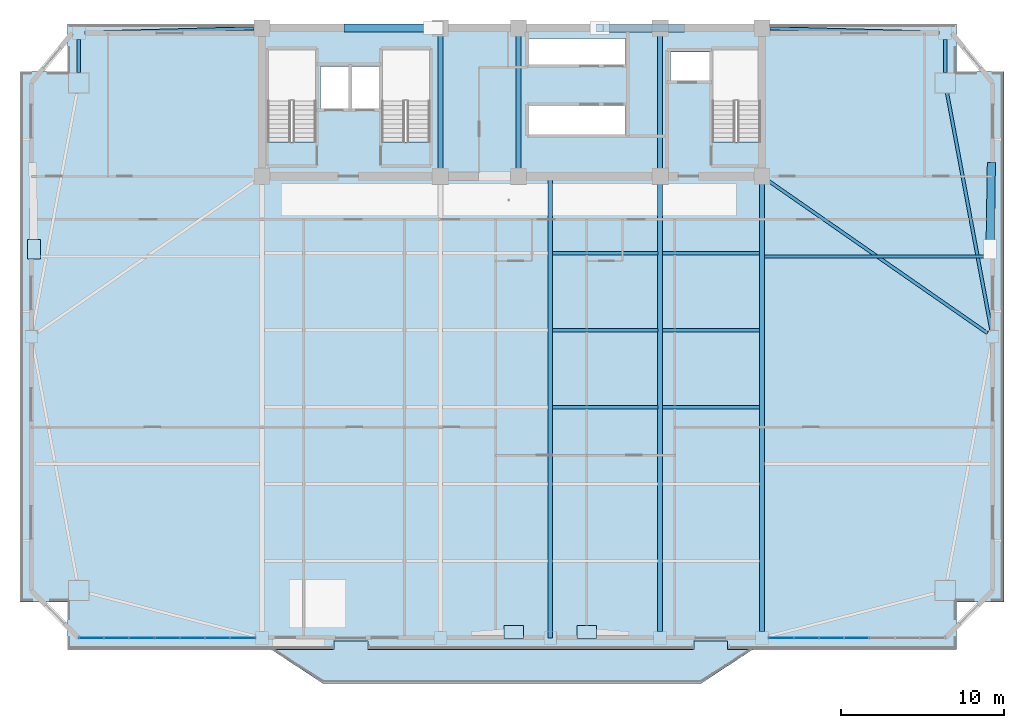
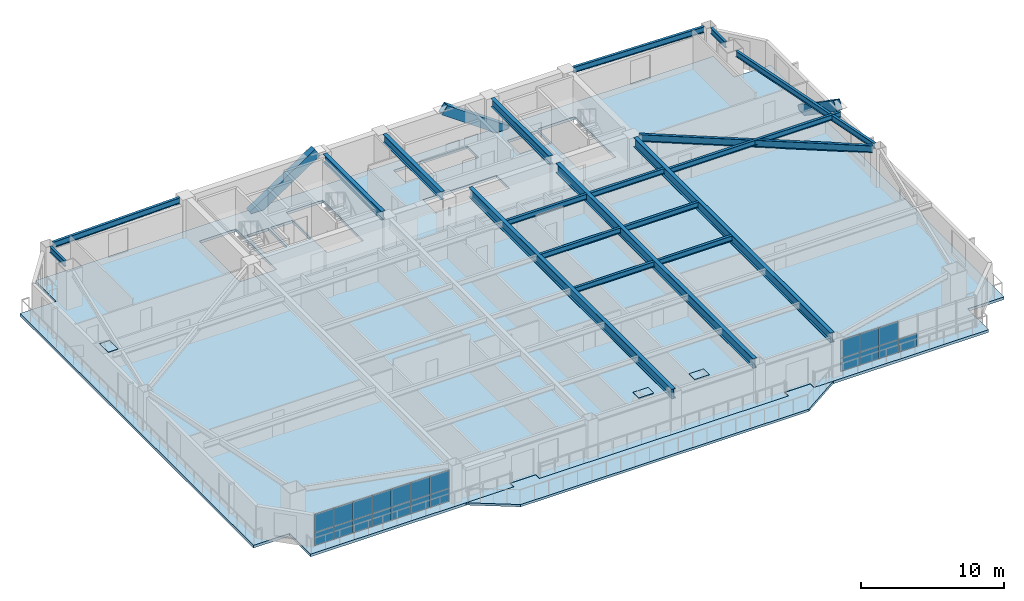
# One storey, part 6 of 16: 24 plates, 19 beams, 3 members, 2 slabs, 2 elements without a shape of their own.
"""IFC4 building model written with IfcOpenShell, lengths in metres."""

from ifc_helpers import new_model, si_unit, direction, frame, origin, origin_2d, place, context, subcontext, project, spatial, polyline, rectangle, hollow_rectangle, i_section, outline, extrude, source, transform, mapped, material, layer, layer_set, material_profile, profile_set, type_object, element, aggregate, save


model = new_model("IFC4")

# Units and contexts
model_context = context("Model", 3, precision=1e-05, world=origin(), true_north=direction((0.0, 1.0)))
body_context = subcontext(model_context, "Body", "Model", "MODEL_VIEW")
ifc_project = project(units=[si_unit("LENGTHUNIT", "METRE"), si_unit("AREAUNIT", "SQUARE_METRE"), si_unit("VOLUMEUNIT", "CUBIC_METRE"), si_unit("PLANEANGLEUNIT", "RADIAN"), si_unit("MASSUNIT", "GRAM", prefix="KILO")], contexts=[model_context])

# Site, building, storey
site_placement = place(None, origin())
site = spatial("IfcSite", under=ifc_project, at=site_placement, CompositionType="ELEMENT")
building_placement = place(site_placement, origin())
building = spatial("IfcBuilding", under=site, at=building_placement, Name="Giltprow Tower", CompositionType="ELEMENT")
storey_placement = place(building_placement, frame((0.0, 0.0, 163.199951171875)))
storey = spatial("IfcBuildingStorey", under=building, at=storey_placement, Name="L40", CompositionType="ELEMENT", Elevation=163.199951171875)

# Beams
ifc_material_1 = material(Name="Structural steel Q355B", Category="steel")
ifc_material_profile_1 = material_profile(ifc_material_1, i_section(OverallWidth=0.199951171875, OverallDepth=0.449951171875, WebThickness=0.009033203125, FlangeThickness=0.013916015625, at=origin_2d()), Name="HN 450x200x9x14")
ifc_profile_set_1 = profile_set([ifc_material_profile_1], Name="Structural steel Q355B")
beam_type_1 = type_object("IfcBeamType", Name="BM-JOIST-HN450", PredefinedType="JOIST", material=ifc_profile_set_1)
shared_shape_1 = source(origin(), body_context, "Body", "SweptSolid", [
    extrude(i_section(OverallWidth=0.199951171875, OverallDepth=0.449951171875, WebThickness=0.009033203125, FlangeThickness=0.013916015625, at=origin_2d()), origin(), (0.0, 0.0, 1.0), 6.4599609375),
])
for number, where, z_axis, x_axis, name in (
    (1, (37.695068359375, 23.27392578125, 3.045166015625), (1.0, 0.0, 0.0), (0.0, 1.0, 0.0), "L40 Composite Floor Joist 3-3"),
    (2, (37.695068359375, 27.9990234375, 3.045166015625), (1.0, 0.0, 0.0), (0.0, 1.0, 0.0), "L40 Composite Floor Joist 4-3"),
    (3, (37.695068359375, 32.72509765625, 3.045166015625), (1.0, 0.0, 0.0), (0.0, 1.0, 0.0), "L40 Composite Floor Joist 5-3"),
):
    element("IfcBeam", number, at=place(storey_placement, frame(where, z_axis=z_axis, x_axis=x_axis)), inside=storey, type_object=beam_type_1, Name=name, PredefinedType="JOIST", context=body_context, shape_type="MappedRepresentation", body=[
        mapped(shared_shape_1, transform((0.0, 0.0, 0.0), x_axis=(1.0, 0.0, 0.0), y_axis=(0.0, 1.0, 0.0), z_axis=(0.0, 0.0, 1.0), scale=1.0)),
    ])
shared_shape_2 = source(origin(), body_context, "Body", "SweptSolid", [
    extrude(i_section(OverallWidth=0.199951171875, OverallDepth=0.449951171875, WebThickness=0.009033203125, FlangeThickness=0.013916015625, at=origin_2d()), origin(), (0.0, 0.0, 1.0), 5.9599609375),
])
for number, where, z_axis, x_axis, name in (
    (4, (44.445068359375, 23.27392578125, 3.045166015625), (1.0, 0.0, 0.0), (0.0, 1.0, 0.0), "L40 Composite Floor Joist 3-4"),
    (5, (44.445068359375, 27.9990234375, 3.045166015625), (1.0, 0.0, 0.0), (0.0, 1.0, 0.0), "L40 Composite Floor Joist 4-4"),
    (6, (44.445068359375, 32.72509765625, 3.045166015625), (1.0, 0.0, 0.0), (0.0, 1.0, 0.0), "L40 Composite Floor Joist 5-4"),
):
    element("IfcBeam", number, at=place(storey_placement, frame(where, z_axis=z_axis, x_axis=x_axis)), inside=storey, type_object=beam_type_1, Name=name, PredefinedType="JOIST", context=body_context, shape_type="MappedRepresentation", body=[
        mapped(shared_shape_2, transform((0.0, 0.0, 0.0), x_axis=(1.0, 0.0, 0.0), y_axis=(0.0, 1.0, 0.0), z_axis=(0.0, 0.0, 1.0), scale=1.0)),
    ])
ifc_material_profile_2 = material_profile(ifc_material_1, i_section(OverallWidth=0.300048828125, OverallDepth=0.699951171875, WebThickness=0.012939453125, FlangeThickness=0.02392578125, at=origin_2d()), Name="HN 700x300x13x24")
ifc_profile_set_2 = profile_set([ifc_material_profile_2], Name="Structural steel Q355B")
beam_type_2 = type_object("IfcBeamType", Name="BM-GIRD-HN700", PredefinedType="BEAM", material=ifc_profile_set_2)
shared_shape_3 = source(origin(), body_context, "Body", "SweptSolid", [
    extrude(i_section(OverallWidth=0.300048828125, OverallDepth=0.699951171875, WebThickness=0.012939453125, FlangeThickness=0.02392578125, at=origin_2d()), origin(), (0.0, 0.0, 1.0), 8.1298828125),
])
for number, where, z_axis, x_axis, name in (
    (7, (30.800048828125, 37.93505859375, 2.920166015625), (0.0, 1.0, 0.0), (-1.0, 0.0, 0.0), "L40 Core Tie Girder M1"),
    (8, (35.60009765625, 37.93505859375, 2.920166015625), (0.0, 1.0, 0.0), (-1.0, 0.0, 0.0), "L40 Core Tie Girder M2"),
    (9, (44.300048828125, 37.93505859375, 2.920166015625), (0.0, 1.0, 0.0), (-1.0, 0.0, 0.0), "L40 Core Tie Girder M3"),
):
    element("IfcBeam", number, at=place(storey_placement, frame(where, z_axis=z_axis, x_axis=x_axis)), inside=storey, type_object=beam_type_2, Name=name, PredefinedType="BEAM", context=body_context, shape_type="MappedRepresentation", body=[
        mapped(shared_shape_3, transform((0.0, 0.0, 0.0), x_axis=(1.0, 0.0, 0.0), y_axis=(0.0, 1.0, 0.0), z_axis=(0.0, 0.0, 1.0), scale=1.0)),
    ])
ifc_material_profile_3 = material_profile(ifc_material_1, i_section(OverallWidth=0.199951171875, OverallDepth=0.5, WebThickness=0.010009765625, FlangeThickness=0.01611328125, at=origin_2d()), Name="HN 500x200x10x16")
ifc_profile_set_3 = profile_set([ifc_material_profile_3], Name="Structural steel Q355B")
beam_type_3 = type_object("IfcBeamType", Name="BM-SPAN-HN500", PredefinedType="SPANDREL", material=ifc_profile_set_3)
shared_shape_4 = source(origin(), body_context, "Body", "SweptSolid", [
    extrude(i_section(OverallWidth=0.199951171875, OverallDepth=0.5, WebThickness=0.010009765625, FlangeThickness=0.01611328125, at=origin_2d()), origin(), (0.0, 0.0, 1.0), 14.83837890625),
])
beam_1_placement = place(storey_placement, frame((64.64501953125, 27.97705078125, 3.02001953125), z_axis=(-0.183652712761, 0.982991190752, 0.0), x_axis=(-0.982991190752, -0.183652712761, 0.0)))
element("IfcBeam", 10, at=beam_1_placement, inside=storey, type_object=beam_type_3, Name="L40 Perimeter Spandrel Beam E_MID-MC_NE", PredefinedType="SPANDREL", context=body_context, shape_type="MappedRepresentation", body=[
    mapped(shared_shape_4, transform((0.0, 0.0, 0.0), x_axis=(1.0, 0.0, 0.0), y_axis=(0.0, 1.0, 0.0), z_axis=(0.0, 0.0, 1.0), scale=1.0)),
])
shared_shape_5 = source(origin(), body_context, "Body", "SweptSolid", [
    extrude(i_section(OverallWidth=0.199951171875, OverallDepth=0.5, WebThickness=0.010009765625, FlangeThickness=0.01611328125, at=origin_2d()), origin(), (0.0, 0.0, 1.0), 2.04296875),
])
for number, where, z_axis, x_axis, name in (
    (11, (61.802978515625, 43.822021484375, 3.02001953125), (0.0, 1.0, 0.0), (-1.0, 0.0, 0.0), "L40 Perimeter Spandrel Beam MC_NE-N_E"),
    (12, (8.596923828125, 45.864990234375, 3.02001953125), (0.0, -1.0, 0.0), (1.0, 0.0, 0.0), "L40 Perimeter Spandrel Beam N_W-MC_NW"),
):
    element("IfcBeam", number, at=place(storey_placement, frame(where, z_axis=z_axis, x_axis=x_axis)), inside=storey, type_object=beam_type_3, Name=name, PredefinedType="SPANDREL", context=body_context, shape_type="MappedRepresentation", body=[
        mapped(shared_shape_5, transform((0.0, 0.0, 0.0), x_axis=(1.0, 0.0, 0.0), y_axis=(0.0, 1.0, 0.0), z_axis=(0.0, 0.0, 1.0), scale=1.0)),
    ])
shared_shape_6 = source(origin(), body_context, "Body", "SweptSolid", [
    extrude(i_section(OverallWidth=0.199951171875, OverallDepth=0.5, WebThickness=0.010009765625, FlangeThickness=0.01611328125, at=origin_2d()), origin(), (0.0, 0.0, 1.0), 10.38671875),
])
for number, where, z_axis, x_axis, name in (
    (13, (8.98193359375, 46.260009765625, 3.02001953125), (0.999644074198, 0.02667817311, 0.0), (-0.02667817311, 0.999644074198, 0.0), "L40 North Wing Spandrel W"),
    (14, (51.034912109375, 46.537109375, 3.02001953125), (0.999644074198, -0.02667817311, 0.0), (0.02667817311, 0.999644074198, 0.0), "L40 North Wing Spandrel E"),
):
    element("IfcBeam", number, at=place(storey_placement, frame(where, z_axis=z_axis, x_axis=x_axis)), inside=storey, type_object=beam_type_3, Name=name, PredefinedType="SPANDREL", context=body_context, shape_type="MappedRepresentation", body=[
        mapped(shared_shape_6, transform((0.0, 0.0, 0.0), x_axis=(1.0, 0.0, 0.0), y_axis=(0.0, 1.0, 0.0), z_axis=(0.0, 0.0, 1.0), scale=1.0)),
    ])
ifc_material_profile_4 = material_profile(ifc_material_1, i_section(OverallWidth=0.300048828125, OverallDepth=0.800048828125, WebThickness=0.013916015625, FlangeThickness=0.02587890625, at=origin_2d()), Name="HN 800x300x14x26")
ifc_profile_set_4 = profile_set([ifc_material_profile_4], Name="Structural steel Q355B")
beam_type_4 = type_object("IfcBeamType", Name="BM-GIRD-HN800", PredefinedType="BEAM", material=ifc_profile_set_4)
shared_shape_7 = source(origin(), body_context, "Body", "SweptSolid", [
    extrude(i_section(OverallWidth=0.300048828125, OverallDepth=0.800048828125, WebThickness=0.013916015625, FlangeThickness=0.02587890625, at=origin_2d()), origin(), (0.0, 0.0, 1.0), 27.482177734375),
])
for number, where, z_axis, x_axis, name in (
    (15, (44.300048828125, 9.48291015625, 2.8701171875), (0.0, 1.0, 0.0), (-1.0, 0.0, 0.0), "L40 Primary Lease Girder S3"),
    (16, (50.550048828125, 9.48291015625, 2.8701171875), (0.0, 1.0, 0.0), (-1.0, 0.0, 0.0), "L40 Primary Lease Girder S4"),
):
    element("IfcBeam", number, at=place(storey_placement, frame(where, z_axis=z_axis, x_axis=x_axis)), inside=storey, type_object=beam_type_4, Name=name, PredefinedType="BEAM", context=body_context, shape_type="MappedRepresentation", body=[
        mapped(shared_shape_7, transform((0.0, 0.0, 0.0), x_axis=(1.0, 0.0, 0.0), y_axis=(0.0, 1.0, 0.0), z_axis=(0.0, 0.0, 1.0), scale=1.0)),
    ])
shared_shape_8 = source(origin(), body_context, "Body", "SweptSolid", [
    extrude(i_section(OverallWidth=0.300048828125, OverallDepth=0.800048828125, WebThickness=0.013916015625, FlangeThickness=0.02587890625, at=origin_2d()), origin(), (0.0, 0.0, 1.0), 28.35205078125),
])
beam_2_placement = place(storey_placement, frame((37.550048828125, 9.097900390625, 2.8701171875), z_axis=(0.0, 1.0, 0.0), x_axis=(-1.0, 0.0, 0.0)))
element("IfcBeam", 17, at=beam_2_placement, inside=storey, type_object=beam_type_4, Name="L40 Central Lease Girder SMID", PredefinedType="BEAM", context=body_context, shape_type="MappedRepresentation", body=[
    mapped(shared_shape_8, transform((0.0, 0.0, 0.0), x_axis=(1.0, 0.0, 0.0), y_axis=(0.0, 1.0, 0.0), z_axis=(0.0, 0.0, 1.0), scale=1.0)),
])
ifc_material_profile_5 = material_profile(ifc_material_1, i_section(OverallWidth=0.199951171875, OverallDepth=0.60009765625, WebThickness=0.010986328125, FlangeThickness=0.01708984375, at=origin_2d()), Name="HN 600x200x11x17")
ifc_profile_set_5 = profile_set([ifc_material_profile_5], Name="Structural steel Q355B")
beam_type_5 = type_object("IfcBeamType", Name="BM-GIRD-HN600", PredefinedType="BEAM", material=ifc_profile_set_5)
shared_shape_9 = source(origin(), body_context, "Body", "SweptSolid", [
    extrude(i_section(OverallWidth=0.199951171875, OverallDepth=0.60009765625, WebThickness=0.010986328125, FlangeThickness=0.01708984375, at=origin_2d()), origin(), (0.0, 0.0, 1.0), 16.384521484375),
])
beam_3_placement = place(storey_placement, frame((64.39990234375, 27.819091796875, 2.969970703125), z_axis=(-0.821015129257, 0.570906435005, 0.0), x_axis=(-0.570906435005, -0.821015129257, 0.0)))
element("IfcBeam", 18, at=beam_3_placement, inside=storey, type_object=beam_type_5, Name="L40 East Wing Primary Girder", PredefinedType="BEAM", context=body_context, shape_type="MappedRepresentation", body=[
    mapped(shared_shape_9, transform((0.0, 0.0, 0.0), x_axis=(1.0, 0.0, 0.0), y_axis=(0.0, 1.0, 0.0), z_axis=(0.0, 0.0, 1.0), scale=1.0)),
])
shared_shape_10 = source(origin(), body_context, "Body", "SweptSolid", [
    extrude(i_section(OverallWidth=0.199951171875, OverallDepth=0.449951171875, WebThickness=0.009033203125, FlangeThickness=0.013916015625, at=origin_2d()), origin(), (0.0, 0.0, 1.0), 13.801025390625),
])
beam_4_placement = place(storey_placement, frame((50.695068359375, 32.52490234375, 3.045166015625), z_axis=(1.0, 0.0, 0.0), x_axis=(0.0, 1.0, 0.0)))
element("IfcBeam", 19, at=beam_4_placement, inside=storey, type_object=beam_type_1, Name="L40 East Wing Floor Joist 2", PredefinedType="JOIST", context=body_context, shape_type="MappedRepresentation", body=[
    mapped(shared_shape_10, transform((0.0, 0.0, 0.0), x_axis=(1.0, 0.0, 0.0), y_axis=(0.0, 1.0, 0.0), z_axis=(0.0, 0.0, 1.0), scale=1.0)),
])

# Members
ifc_material_2 = material(Name="Structural steel Q420GJC", Category="steel")
ifc_material_profile_6 = material_profile(ifc_material_2, hollow_rectangle(XDim=0.5, YDim=0.800048828125, WallThickness=0.035888671875, at=origin_2d()), Name="RHS 800x500x36")
ifc_profile_set_6 = profile_set([ifc_material_profile_6], Name="Structural steel Q420GJC")
member_type = type_object("IfcMemberType", Name="MBR-MEGA-RHS800", PredefinedType="BRACE", material=ifc_profile_set_6)
shared_shape_11 = source(origin(), body_context, "Body", "SweptSolid", [
    extrude(hollow_rectangle(XDim=0.5, YDim=0.800048828125, WallThickness=0.035888671875, at=origin_2d()), origin(), (0.0, 0.0, 1.0), 6.309814453125),
])
member_1_placement = place(storey_placement, frame((25.10009765625, 46.550048828125, -0.139892578125), z_axis=(0.832050294338, 0.0, 0.554700196225), x_axis=(0.0, 1.0, 0.0)))
element("IfcMember", 20, at=member_1_placement, inside=storey, type_object=member_type, Name="L40 Chevron Mega-Brace N-L", PredefinedType="BRACE", context=body_context, shape_type="MappedRepresentation", body=[
    mapped(shared_shape_11, transform((0.0, 0.0, 0.0), x_axis=(1.0, 0.0, 0.0), y_axis=(0.0, 1.0, 0.0), z_axis=(0.0, 0.0, 1.0), scale=1.0)),
])
shared_shape_12 = source(origin(), body_context, "Body", "SweptSolid", [
    extrude(hollow_rectangle(XDim=0.5, YDim=0.800048828125, WallThickness=0.035888671875, at=origin_2d()), origin(), (0.0, 0.0, 1.0), 6.090087890625),
])
member_2_placement = place(storey_placement, frame((45.56689453125, 46.550048828125, -0.139892578125), z_axis=(-0.81836087487, 0.0, 0.574704688064), x_axis=(0.0, -1.0, 0.0)))
element("IfcMember", 21, at=member_2_placement, inside=storey, type_object=member_type, Name="L40 Chevron Mega-Brace N-R", PredefinedType="BRACE", context=body_context, shape_type="MappedRepresentation", body=[
    mapped(shared_shape_12, transform((0.0, 0.0, 0.0), x_axis=(1.0, 0.0, 0.0), y_axis=(0.0, 1.0, 0.0), z_axis=(0.0, 0.0, 1.0), scale=1.0)),
])
shared_shape_13 = source(origin(), body_context, "Body", "SweptSolid", [
    extrude(hollow_rectangle(XDim=0.5, YDim=0.800048828125, WallThickness=0.035888671875, at=origin_2d()), origin(), (0.0, 0.0, 1.0), 6.192626953125),
])
member_3_placement = place(storey_placement, frame((64.637939453125, 38.0791015625, 0.0), z_axis=(-0.012733944555, -0.82486786975, 0.565182133573), x_axis=(0.999880862215, -0.015435717559, 0.0)))
element("IfcMember", 22, at=member_3_placement, inside=storey, type_object=member_type, Name="L40 Chevron Mega-Brace E-R", PredefinedType="BRACE", context=body_context, shape_type="MappedRepresentation", body=[
    mapped(shared_shape_13, transform((0.0, 0.0, 0.0), x_axis=(1.0, 0.0, 0.0), y_axis=(0.0, 1.0, 0.0), z_axis=(0.0, 0.0, 1.0), scale=1.0)),
])

# Slabs
ifc_material_3 = material(Name="Concrete C40", Category="concrete")
ifc_layer_1 = layer(ifc_material_3, 0.199951171875, Name="Concrete C40")
ifc_layer_set_1 = layer_set([ifc_layer_1], Name="Concrete C40")
slab_type_1 = type_object("IfcSlabType", Name="SLB-BALC-BRONZE-200", PredefinedType="FLOOR", material=ifc_layer_set_1)
slab_1_placement = place(storey_placement, frame((0.0, 0.0, -0.199951171875)))
element("IfcSlab", 23, at=slab_1_placement, inside=storey, type_object=slab_type_1, Name="L40 Bronze Prow Waterfront Balcony Slab", PredefinedType="FLOOR", context=body_context, shape_type="SweptSolid", body=[
    extrude(outline(polyline([(50.0, 8.39794921875), (46.800048828125, 6.298095703125), (23.60009765625, 6.298095703125), (20.39990234375, 8.39794921875), (24.280029296875, 8.39794921875), (24.280029296875, 8.89794921875), (26.320068359375, 8.89794921875), (26.320068359375, 8.39794921875), (46.3798828125, 8.39794921875), (46.3798828125, 8.89794921875), (48.419921875, 8.89794921875), (48.419921875, 8.39794921875), (50.0, 8.39794921875)])), origin(), (0.0, 0.0, 1.0), 0.199951171875),
])
ifc_layer_2 = layer(ifc_material_3, 0.22998046875, Name="Concrete C40")
ifc_layer_set_2 = layer_set([ifc_layer_2], Name="Concrete C40")
slab_type_2 = type_object("IfcSlabType", Name="SLB-HTL-230", PredefinedType="FLOOR", material=ifc_layer_set_2)
slab_2_placement = place(storey_placement, frame((0.0, 0.0, -0.22998046875)))
element("IfcSlab", 24, at=slab_2_placement, inside=storey, type_object=slab_type_2, Name="L40 Structural Composite Floor Slab", PredefinedType="FLOOR", context=body_context, shape_type="SweptSolid", body=[
    extrude(outline(polyline([(7.89697265625, 8.39794921875), (7.89697265625, 11.31103515625), (4.98388671875, 11.31103515625), (4.98388671875, 43.886962890625), (7.89697265625, 43.886962890625), (7.89697265625, 46.800048828125), (62.5029296875, 46.800048828125), (62.5029296875, 43.886962890625), (65.416015625, 43.886962890625), (65.416015625, 11.31103515625), (62.5029296875, 11.31103515625), (62.5029296875, 8.39794921875), (48.449951171875, 8.39794921875), (48.449951171875, 8.91796875), (46.35009765625, 8.91796875), (46.35009765625, 8.39794921875), (26.35009765625, 8.39794921875), (26.35009765625, 8.91796875), (24.25, 8.91796875), (24.25, 8.39794921875), (7.89697265625, 8.39794921875)]), holes=[polyline([(42.169921875, 41.800048828125), (36.239990234375, 41.800048828125), (36.239990234375, 40.0), (42.169921875, 40.0), (42.169921875, 41.800048828125)]), polyline([(23.159912109375, 39.570068359375), (23.159912109375, 45.25), (20.199951171875, 45.25), (20.199951171875, 39.570068359375), (23.159912109375, 39.570068359375)]), polyline([(30.159912109375, 39.570068359375), (30.159912109375, 45.25), (27.199951171875, 45.25), (27.199951171875, 39.570068359375), (30.159912109375, 39.570068359375)]), polyline([(50.4599609375, 45.25), (47.5, 45.25), (47.5, 39.570068359375), (50.4599609375, 39.570068359375), (50.4599609375, 45.25)]), polyline([(25.169921875, 44.199951171875), (23.449951171875, 44.199951171875), (23.449951171875, 41.60009765625), (25.169921875, 41.60009765625), (25.169921875, 44.199951171875)]), polyline([(27.10009765625, 44.199951171875), (25.35009765625, 44.199951171875), (25.35009765625, 41.60009765625), (27.10009765625, 41.60009765625), (27.10009765625, 44.199951171875)]), polyline([(47.3798828125, 43.300048828125), (47.3798828125, 45.10009765625), (44.919921875, 45.10009765625), (44.919921875, 43.300048828125), (47.3798828125, 43.300048828125)]), polyline([(42.169921875, 44.300048828125), (42.169921875, 45.919921875), (36.239990234375, 45.919921875), (36.239990234375, 44.300048828125), (42.169921875, 44.300048828125)])]), origin(), (0.0, 0.0, 1.0), 0.22998046875),
])

# Plates
plate_type_1 = type_object("IfcPlateType", Name="PLT-CAP-SEAL", PredefinedType="USERDEFINED", material=ifc_material_2)
shared_shape_14 = source(origin(), body_context, "Body", "SweptSolid", [
    extrude(rectangle(XDim=1.199951171875, YDim=0.800048828125, at=origin_2d()), origin(), (0.0, 0.0, 1.0), 0.034912109375),
])
for number, where, z_axis, x_axis, name in (
    (25, (35.300048828125, 9.449951171875, 3.482421875), (0.0, 0.0, 1.0), (1.0, 0.0, 0.0), "Mega-Brace Node L40-S-LB"),
    (26, (39.800048828125, 9.449951171875, 3.482421875), (0.0, 0.0, 1.0), (1.0, 0.0, 0.0), "Mega-Brace Node L40-S-RB"),
    (27, (5.841064453125, 32.970947265625, 3.482421875), (0.0, 0.0, 1.0), (0.0, 1.0, 0.0), "Mega-Brace Node L40-W-RB"),
):
    element("IfcPlate", number, at=place(storey_placement, frame(where, z_axis=z_axis, x_axis=x_axis)), inside=storey, type_object=plate_type_1, Name=name, ObjectType="SPLICE", PredefinedType="USERDEFINED", context=body_context, shape_type="MappedRepresentation", body=[
        mapped(shared_shape_14, transform((0.0, 0.0, 0.0), x_axis=(1.0, 0.0, 0.0), y_axis=(0.0, 1.0, 0.0), z_axis=(0.0, 0.0, 1.0), scale=1.0)),
    ])

# Curtain wall, plates
ifc_material_4 = material(Name="Anodized bronze", Category="metal")
ifc_layer_3 = layer(ifc_material_4, 0.179931640625, Name="Anodized bronze")
ifc_layer_set_3 = layer_set([ifc_layer_3], Name="Anodized bronze")
curtain_wall_type = type_object("IfcCurtainWallType", Name="CW-HTL-BRONZE", PredefinedType="NOTDEFINED", material=ifc_layer_set_3)
curtain_wall_1_placement = place(storey_placement, origin())
curtain_wall_1 = element("IfcCurtainWall", 28, at=curtain_wall_1_placement, inside=storey, type_object=curtain_wall_type, Name="L40 South Recessed Curtain Wall 1", PredefinedType="NOTDEFINED")
ifc_material_5 = material(Name="Insulated glass", Category="glass")
plate_type_2 = type_object("IfcPlateType", Name="CW-PANEL-IGU-28", PredefinedType="CURTAIN_PANEL", material=ifc_material_5)
shared_shape_15 = source(origin(), body_context, "Body", "SweptSolid", [
    extrude(rectangle(XDim=1.52001953125, YDim=0.028076171875, at=origin_2d()), origin(), (0.0, 0.0, 1.0), 1.0869140625),
])
plate_1_placement = place(storey_placement, frame((9.3720703125, 9.097900390625, 0.0546875), z_axis=(0.0, 0.0, 1.0), x_axis=(1.0, 0.0, 0.0)))
plate_1 = element("IfcPlate", 29, at=plate_1_placement, type_object=plate_type_2, Name="L40 South Recessed Curtain Wall 1 Glazing Panel 1-1", PredefinedType="CURTAIN_PANEL", context=body_context, shape_type="MappedRepresentation", body=[
    mapped(shared_shape_15, transform((0.0, 0.0, 0.0), x_axis=(1.0, 0.0, 0.0), y_axis=(0.0, 1.0, 0.0), z_axis=(0.0, 0.0, 1.0), scale=1.0)),
])
plate_2_placement = place(storey_placement, frame((10.923095703125, 9.097900390625, 0.0546875), z_axis=(0.0, 0.0, 1.0), x_axis=(1.0, 0.0, 0.0)))
plate_2 = element("IfcPlate", 30, at=plate_2_placement, type_object=plate_type_2, Name="L40 South Recessed Curtain Wall 1 Glazing Panel 2-1", PredefinedType="CURTAIN_PANEL", context=body_context, shape_type="MappedRepresentation", body=[
    mapped(shared_shape_15, transform((0.0, 0.0, 0.0), x_axis=(1.0, 0.0, 0.0), y_axis=(0.0, 1.0, 0.0), z_axis=(0.0, 0.0, 1.0), scale=1.0)),
])
plate_3_placement = place(storey_placement, frame((12.472900390625, 9.097900390625, 0.0546875), z_axis=(0.0, 0.0, 1.0), x_axis=(1.0, 0.0, 0.0)))
plate_3 = element("IfcPlate", 31, at=plate_3_placement, type_object=plate_type_2, Name="L40 South Recessed Curtain Wall 1 Glazing Panel 3-1", PredefinedType="CURTAIN_PANEL", context=body_context, shape_type="MappedRepresentation", body=[
    mapped(shared_shape_15, transform((0.0, 0.0, 0.0), x_axis=(1.0, 0.0, 0.0), y_axis=(0.0, 1.0, 0.0), z_axis=(0.0, 0.0, 1.0), scale=1.0)),
])
plate_4_placement = place(storey_placement, frame((14.02294921875, 9.097900390625, 0.0546875), z_axis=(0.0, 0.0, 1.0), x_axis=(1.0, 0.0, 0.0)))
plate_4 = element("IfcPlate", 32, at=plate_4_placement, type_object=plate_type_2, Name="L40 South Recessed Curtain Wall 1 Glazing Panel 4-1", PredefinedType="CURTAIN_PANEL", context=body_context, shape_type="MappedRepresentation", body=[
    mapped(shared_shape_15, transform((0.0, 0.0, 0.0), x_axis=(1.0, 0.0, 0.0), y_axis=(0.0, 1.0, 0.0), z_axis=(0.0, 0.0, 1.0), scale=1.0)),
])
plate_5_placement = place(storey_placement, frame((15.573974609375, 9.097900390625, 0.0546875), z_axis=(0.0, 0.0, 1.0), x_axis=(1.0, 0.0, 0.0)))
plate_5 = element("IfcPlate", 33, at=plate_5_placement, type_object=plate_type_2, Name="L40 South Recessed Curtain Wall 1 Glazing Panel 5-1", PredefinedType="CURTAIN_PANEL", context=body_context, shape_type="MappedRepresentation", body=[
    mapped(shared_shape_15, transform((0.0, 0.0, 0.0), x_axis=(1.0, 0.0, 0.0), y_axis=(0.0, 1.0, 0.0), z_axis=(0.0, 0.0, 1.0), scale=1.0)),
])
plate_6_placement = place(storey_placement, frame((17.1240234375, 9.097900390625, 0.0546875), z_axis=(0.0, 0.0, 1.0), x_axis=(1.0, 0.0, 0.0)))
plate_6 = element("IfcPlate", 34, at=plate_6_placement, type_object=plate_type_2, Name="L40 South Recessed Curtain Wall 1 Glazing Panel 6-1", PredefinedType="CURTAIN_PANEL", context=body_context, shape_type="MappedRepresentation", body=[
    mapped(shared_shape_15, transform((0.0, 0.0, 0.0), x_axis=(1.0, 0.0, 0.0), y_axis=(0.0, 1.0, 0.0), z_axis=(0.0, 0.0, 1.0), scale=1.0)),
])
plate_7_placement = place(storey_placement, frame((18.675048828125, 9.097900390625, 0.0546875), z_axis=(0.0, 0.0, 1.0), x_axis=(1.0, 0.0, 0.0)))
plate_7 = element("IfcPlate", 35, at=plate_7_placement, type_object=plate_type_2, Name="L40 South Recessed Curtain Wall 1 Glazing Panel 7-1", PredefinedType="CURTAIN_PANEL", context=body_context, shape_type="MappedRepresentation", body=[
    mapped(shared_shape_15, transform((0.0, 0.0, 0.0), x_axis=(1.0, 0.0, 0.0), y_axis=(0.0, 1.0, 0.0), z_axis=(0.0, 0.0, 1.0), scale=1.0)),
])

curtain_wall_2_placement = place(storey_placement, origin())
curtain_wall_2 = element("IfcCurtainWall", 36, at=curtain_wall_2_placement, inside=storey, type_object=curtain_wall_type, Name="L40 South Recessed Curtain Wall 6", PredefinedType="NOTDEFINED")
plate_8_placement = place(storey_placement, frame((51.72509765625, 9.097900390625, 0.0546875), z_axis=(0.0, 0.0, 1.0), x_axis=(1.0, 0.0, 0.0)))
plate_8 = element("IfcPlate", 37, at=plate_8_placement, type_object=plate_type_2, Name="L40 South Recessed Curtain Wall 6 Glazing Panel 1-1", PredefinedType="CURTAIN_PANEL", context=body_context, shape_type="MappedRepresentation", body=[
    mapped(shared_shape_15, transform((0.0, 0.0, 0.0), x_axis=(1.0, 0.0, 0.0), y_axis=(0.0, 1.0, 0.0), z_axis=(0.0, 0.0, 1.0), scale=1.0)),
])
plate_9_placement = place(storey_placement, frame((53.27587890625, 9.097900390625, 0.0546875), z_axis=(0.0, 0.0, 1.0), x_axis=(1.0, 0.0, 0.0)))
plate_9 = element("IfcPlate", 38, at=plate_9_placement, type_object=plate_type_2, Name="L40 South Recessed Curtain Wall 6 Glazing Panel 2-1", PredefinedType="CURTAIN_PANEL", context=body_context, shape_type="MappedRepresentation", body=[
    mapped(shared_shape_15, transform((0.0, 0.0, 0.0), x_axis=(1.0, 0.0, 0.0), y_axis=(0.0, 1.0, 0.0), z_axis=(0.0, 0.0, 1.0), scale=1.0)),
])
plate_10_placement = place(storey_placement, frame((54.825927734375, 9.097900390625, 0.0546875), z_axis=(0.0, 0.0, 1.0), x_axis=(1.0, 0.0, 0.0)))
plate_10 = element("IfcPlate", 39, at=plate_10_placement, type_object=plate_type_2, Name="L40 South Recessed Curtain Wall 6 Glazing Panel 3-1", PredefinedType="CURTAIN_PANEL", context=body_context, shape_type="MappedRepresentation", body=[
    mapped(shared_shape_15, transform((0.0, 0.0, 0.0), x_axis=(1.0, 0.0, 0.0), y_axis=(0.0, 1.0, 0.0), z_axis=(0.0, 0.0, 1.0), scale=1.0)),
])
plate_11_placement = place(storey_placement, frame((56.376953125, 9.097900390625, 0.0546875), z_axis=(0.0, 0.0, 1.0), x_axis=(1.0, 0.0, 0.0)))
plate_11 = element("IfcPlate", 40, at=plate_11_placement, type_object=plate_type_2, Name="L40 South Recessed Curtain Wall 6 Glazing Panel 4-1", PredefinedType="CURTAIN_PANEL", context=body_context, shape_type="MappedRepresentation", body=[
    mapped(shared_shape_15, transform((0.0, 0.0, 0.0), x_axis=(1.0, 0.0, 0.0), y_axis=(0.0, 1.0, 0.0), z_axis=(0.0, 0.0, 1.0), scale=1.0)),
])

# Plate
shared_shape_16 = source(origin(), body_context, "Body", "SweptSolid", [
    extrude(rectangle(XDim=1.52001953125, YDim=0.028076171875, at=origin_2d()), origin(), (0.0, 0.0, 1.0), 1.527099609375),
])
plate_12_placement = place(storey_placement, frame((9.3720703125, 9.097900390625, 1.16845703125), z_axis=(0.0, 0.0, 1.0), x_axis=(1.0, 0.0, 0.0)))
plate_12 = element("IfcPlate", 41, at=plate_12_placement, type_object=plate_type_2, Name="L40 South Recessed Curtain Wall 1 Glazing Panel 1-2", PredefinedType="CURTAIN_PANEL", context=body_context, shape_type="MappedRepresentation", body=[
    mapped(shared_shape_16, transform((0.0, 0.0, 0.0), x_axis=(1.0, 0.0, 0.0), y_axis=(0.0, 1.0, 0.0), z_axis=(0.0, 0.0, 1.0), scale=1.0)),
])

plate_13_placement = place(storey_placement, frame((10.923095703125, 9.097900390625, 1.16845703125), z_axis=(0.0, 0.0, 1.0), x_axis=(1.0, 0.0, 0.0)))
plate_13 = element("IfcPlate", 42, at=plate_13_placement, type_object=plate_type_2, Name="L40 South Recessed Curtain Wall 1 Glazing Panel 2-2", PredefinedType="CURTAIN_PANEL", context=body_context, shape_type="MappedRepresentation", body=[
    mapped(shared_shape_16, transform((0.0, 0.0, 0.0), x_axis=(1.0, 0.0, 0.0), y_axis=(0.0, 1.0, 0.0), z_axis=(0.0, 0.0, 1.0), scale=1.0)),
])

plate_14_placement = place(storey_placement, frame((12.472900390625, 9.097900390625, 1.16845703125), z_axis=(0.0, 0.0, 1.0), x_axis=(1.0, 0.0, 0.0)))
plate_14 = element("IfcPlate", 43, at=plate_14_placement, type_object=plate_type_2, Name="L40 South Recessed Curtain Wall 1 Glazing Panel 3-2", PredefinedType="CURTAIN_PANEL", context=body_context, shape_type="MappedRepresentation", body=[
    mapped(shared_shape_16, transform((0.0, 0.0, 0.0), x_axis=(1.0, 0.0, 0.0), y_axis=(0.0, 1.0, 0.0), z_axis=(0.0, 0.0, 1.0), scale=1.0)),
])

plate_15_placement = place(storey_placement, frame((14.02294921875, 9.097900390625, 1.16845703125), z_axis=(0.0, 0.0, 1.0), x_axis=(1.0, 0.0, 0.0)))
plate_15 = element("IfcPlate", 44, at=plate_15_placement, type_object=plate_type_2, Name="L40 South Recessed Curtain Wall 1 Glazing Panel 4-2", PredefinedType="CURTAIN_PANEL", context=body_context, shape_type="MappedRepresentation", body=[
    mapped(shared_shape_16, transform((0.0, 0.0, 0.0), x_axis=(1.0, 0.0, 0.0), y_axis=(0.0, 1.0, 0.0), z_axis=(0.0, 0.0, 1.0), scale=1.0)),
])

plate_16_placement = place(storey_placement, frame((15.573974609375, 9.097900390625, 1.16845703125), z_axis=(0.0, 0.0, 1.0), x_axis=(1.0, 0.0, 0.0)))
plate_16 = element("IfcPlate", 45, at=plate_16_placement, type_object=plate_type_2, Name="L40 South Recessed Curtain Wall 1 Glazing Panel 5-2", PredefinedType="CURTAIN_PANEL", context=body_context, shape_type="MappedRepresentation", body=[
    mapped(shared_shape_16, transform((0.0, 0.0, 0.0), x_axis=(1.0, 0.0, 0.0), y_axis=(0.0, 1.0, 0.0), z_axis=(0.0, 0.0, 1.0), scale=1.0)),
])

plate_17_placement = place(storey_placement, frame((17.1240234375, 9.097900390625, 1.16845703125), z_axis=(0.0, 0.0, 1.0), x_axis=(1.0, 0.0, 0.0)))
plate_17 = element("IfcPlate", 46, at=plate_17_placement, type_object=plate_type_2, Name="L40 South Recessed Curtain Wall 1 Glazing Panel 6-2", PredefinedType="CURTAIN_PANEL", context=body_context, shape_type="MappedRepresentation", body=[
    mapped(shared_shape_16, transform((0.0, 0.0, 0.0), x_axis=(1.0, 0.0, 0.0), y_axis=(0.0, 1.0, 0.0), z_axis=(0.0, 0.0, 1.0), scale=1.0)),
])

plate_18_placement = place(storey_placement, frame((18.675048828125, 9.097900390625, 1.16845703125), z_axis=(0.0, 0.0, 1.0), x_axis=(1.0, 0.0, 0.0)))
plate_18 = element("IfcPlate", 47, at=plate_18_placement, type_object=plate_type_2, Name="L40 South Recessed Curtain Wall 1 Glazing Panel 7-2", PredefinedType="CURTAIN_PANEL", context=body_context, shape_type="MappedRepresentation", body=[
    mapped(shared_shape_16, transform((0.0, 0.0, 0.0), x_axis=(1.0, 0.0, 0.0), y_axis=(0.0, 1.0, 0.0), z_axis=(0.0, 0.0, 1.0), scale=1.0)),
])

aggregate(curtain_wall_1, [plate_1, plate_12, plate_2, plate_13, plate_3, plate_14, plate_4, plate_15, plate_5, plate_16, plate_6, plate_17, plate_7, plate_18])

plate_19_placement = place(storey_placement, frame((51.72509765625, 9.097900390625, 1.16845703125), z_axis=(0.0, 0.0, 1.0), x_axis=(1.0, 0.0, 0.0)))
plate_19 = element("IfcPlate", 48, at=plate_19_placement, type_object=plate_type_2, Name="L40 South Recessed Curtain Wall 6 Glazing Panel 1-2", PredefinedType="CURTAIN_PANEL", context=body_context, shape_type="MappedRepresentation", body=[
    mapped(shared_shape_16, transform((0.0, 0.0, 0.0), x_axis=(1.0, 0.0, 0.0), y_axis=(0.0, 1.0, 0.0), z_axis=(0.0, 0.0, 1.0), scale=1.0)),
])

plate_20_placement = place(storey_placement, frame((53.27587890625, 9.097900390625, 1.16845703125), z_axis=(0.0, 0.0, 1.0), x_axis=(1.0, 0.0, 0.0)))
plate_20 = element("IfcPlate", 49, at=plate_20_placement, type_object=plate_type_2, Name="L40 South Recessed Curtain Wall 6 Glazing Panel 2-2", PredefinedType="CURTAIN_PANEL", context=body_context, shape_type="MappedRepresentation", body=[
    mapped(shared_shape_16, transform((0.0, 0.0, 0.0), x_axis=(1.0, 0.0, 0.0), y_axis=(0.0, 1.0, 0.0), z_axis=(0.0, 0.0, 1.0), scale=1.0)),
])

plate_21_placement = place(storey_placement, frame((54.825927734375, 9.097900390625, 1.16845703125), z_axis=(0.0, 0.0, 1.0), x_axis=(1.0, 0.0, 0.0)))
plate_21 = element("IfcPlate", 50, at=plate_21_placement, type_object=plate_type_2, Name="L40 South Recessed Curtain Wall 6 Glazing Panel 3-2", PredefinedType="CURTAIN_PANEL", context=body_context, shape_type="MappedRepresentation", body=[
    mapped(shared_shape_16, transform((0.0, 0.0, 0.0), x_axis=(1.0, 0.0, 0.0), y_axis=(0.0, 1.0, 0.0), z_axis=(0.0, 0.0, 1.0), scale=1.0)),
])

aggregate(curtain_wall_2, [plate_8, plate_19, plate_9, plate_20, plate_10, plate_21, plate_11])

save(model, "model.ifc")
